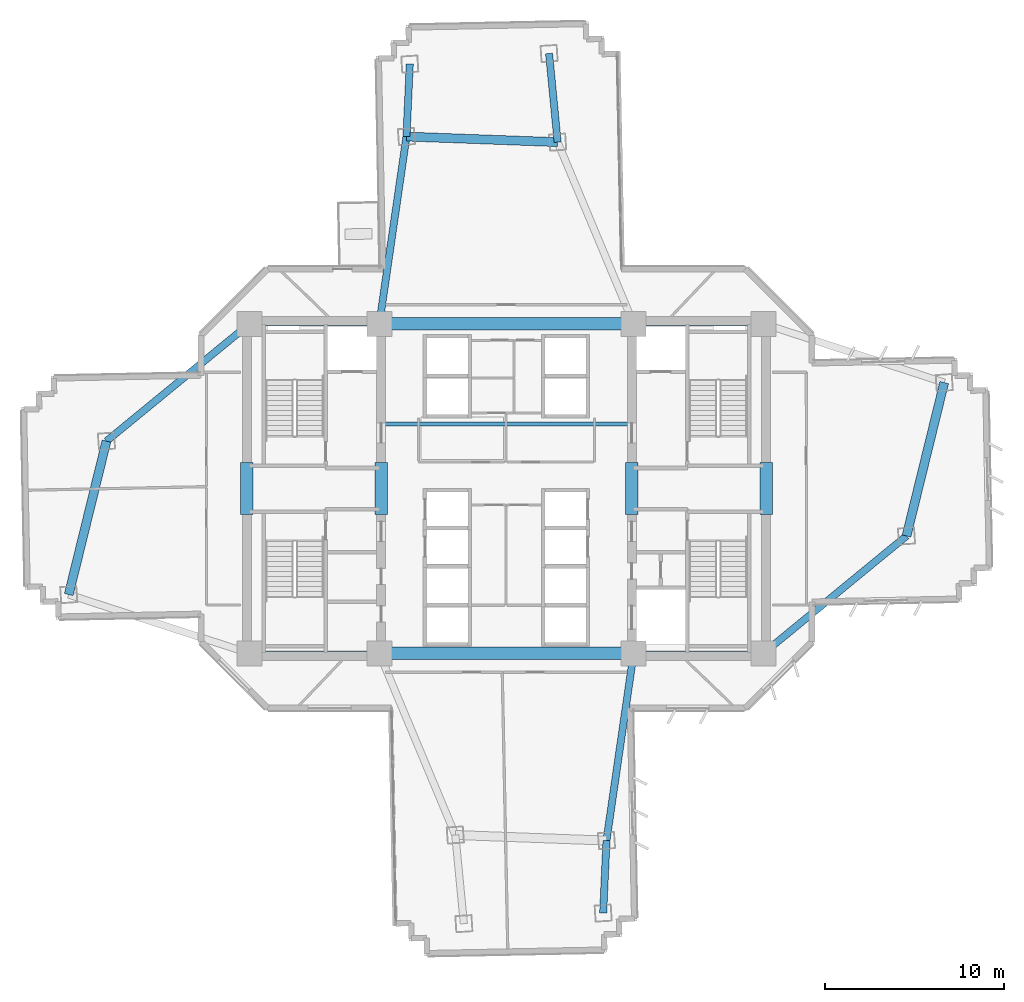
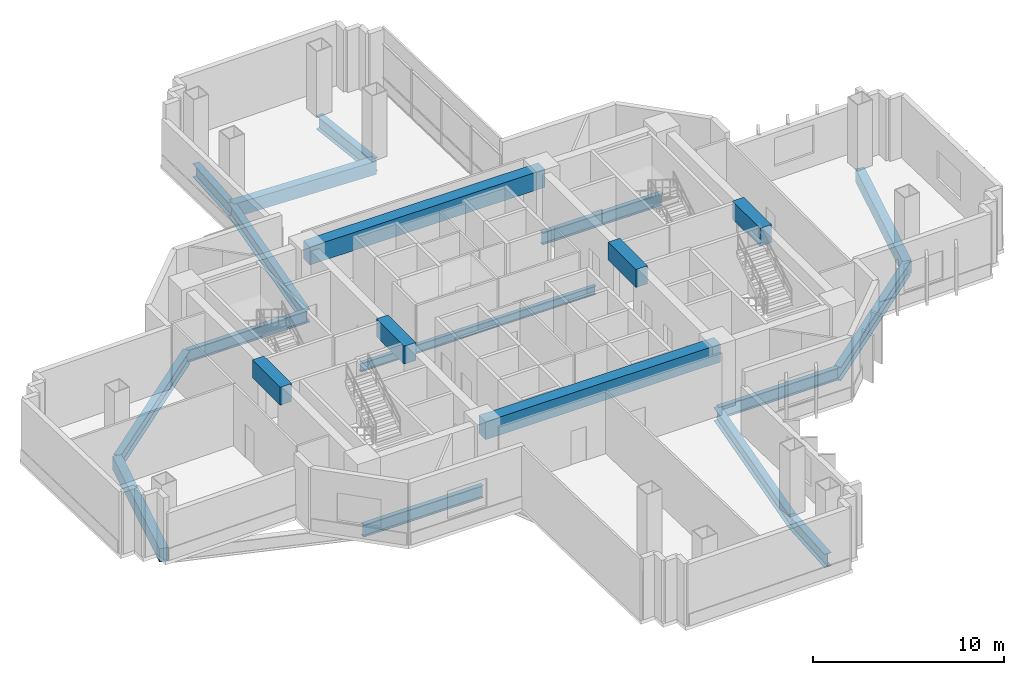
# One storey, part 3 of 15: 21 beams.
"""IFC4 building model written with IfcOpenShell, lengths in metres."""

from ifc_helpers import new_model, si_unit, direction, frame, origin, origin_2d, place, context, subcontext, project, spatial, rectangle, i_section, extrude, source, transform, mapped, material, material_profile, profile_set, type_object, element, save


model = new_model("IFC4")

# Units and contexts
model_context = context("Model", 3, precision=1e-05, world=origin(), true_north=direction((0.0, 1.0)))
body_context = subcontext(model_context, "Body", "Model", "MODEL_VIEW")
ifc_project = project(units=[si_unit("LENGTHUNIT", "METRE"), si_unit("AREAUNIT", "SQUARE_METRE"), si_unit("VOLUMEUNIT", "CUBIC_METRE"), si_unit("PLANEANGLEUNIT", "RADIAN"), si_unit("MASSUNIT", "GRAM", prefix="KILO")], contexts=[model_context])

# Site, building, storey
site_placement = place(None, origin())
site = spatial("IfcSite", under=ifc_project, at=site_placement, CompositionType="ELEMENT")
building_placement = place(site_placement, origin())
building = spatial("IfcBuilding", under=site, at=building_placement, Name="Zahravan Cultural Tower", CompositionType="ELEMENT")
storey_placement = place(building_placement, frame((0.0, 0.0, 50.10009765625)))
storey = spatial("IfcBuildingStorey", under=building, at=storey_placement, Name="L10", CompositionType="ELEMENT", Elevation=50.10009765625)

# Beams
ifc_material_1 = material(Name="Concrete C50/60", Category="concrete")
ifc_material_profile_1 = material_profile(ifc_material_1, rectangle(XDim=0.699951171875, YDim=1.14990234375, at=origin_2d()), Name="RC700X1150")
ifc_profile_set_1 = profile_set([ifc_material_profile_1], Name="Concrete C50/60")
beam_type_1 = type_object("IfcBeamType", Name="BM-LN-RC700X1150", PredefinedType="LINTEL", material=ifc_profile_set_1)
shared_shape_1 = source(origin(), body_context, "Body", "SweptSolid", [
    extrude(rectangle(XDim=0.699951171875, YDim=1.14990234375, at=origin_2d()), origin(), (0.0, 0.0, 1.0), 14.2001953125),
])
for number, where, z_axis, x_axis, name in (
    (1, (28.89990234375, 17.800048828125, 3.375), (1.0, 0.0, 0.0), (0.0, 1.0, 0.0), "L10 Beam LN-L10-S"),
    (2, (28.89990234375, 36.199951171875, 3.375), (1.0, 0.0, 0.0), (0.0, 1.0, 0.0), "L10 Beam LN-L10-N"),
):
    element("IfcBeam", number, at=place(storey_placement, frame(where, z_axis=z_axis, x_axis=x_axis)), inside=storey, type_object=beam_type_1, Name=name, PredefinedType="LINTEL", context=body_context, shape_type="MappedRepresentation", body=[
        mapped(shared_shape_1, transform((0.0, 0.0, 0.0), x_axis=(1.0, 0.0, 0.0), y_axis=(0.0, 1.0, 0.0), z_axis=(0.0, 0.0, 1.0), scale=1.0)),
    ])
shared_shape_2 = source(origin(), body_context, "Body", "SweptSolid", [
    extrude(rectangle(XDim=0.699951171875, YDim=1.14990234375, at=origin_2d()), origin(), (0.0, 0.0, 1.0), 2.89990234375),
])
for number, where, z_axis, x_axis, name in (
    (3, (21.5, 25.550048828125, 3.375), (0.0, 1.0, 0.0), (-1.0, 0.0, 0.0), "L10 Beam LN-L10-PWW"),
    (4, (29.0, 25.550048828125, 3.375), (0.0, 1.0, 0.0), (-1.0, 0.0, 0.0), "L10 Beam LN-L10-PWE"),
    (5, (43.0, 25.550048828125, 3.375), (0.0, 1.0, 0.0), (-1.0, 0.0, 0.0), "L10 Beam LN-L10-PEW"),
    (6, (50.5, 25.550048828125, 3.375), (0.0, 1.0, 0.0), (-1.0, 0.0, 0.0), "L10 Beam LN-L10-PEE"),
):
    element("IfcBeam", number, at=place(storey_placement, frame(where, z_axis=z_axis, x_axis=x_axis)), inside=storey, type_object=beam_type_1, Name=name, PredefinedType="LINTEL", context=body_context, shape_type="MappedRepresentation", body=[
        mapped(shared_shape_2, transform((0.0, 0.0, 0.0), x_axis=(1.0, 0.0, 0.0), y_axis=(0.0, 1.0, 0.0), z_axis=(0.0, 0.0, 1.0), scale=1.0)),
    ])
ifc_material_2 = material(Name="Steel ASTM A992 Grade 50", Category="steel")
ifc_material_profile_2 = material_profile(ifc_material_2, i_section(OverallWidth=0.26611328125, OverallDepth=0.780029296875, WebThickness=0.0166015625, FlangeThickness=0.030029296875, FilletRadius=0.01904296875, at=origin_2d()), Name="W30X148")
ifc_profile_set_2 = profile_set([ifc_material_profile_2], Name="Steel ASTM A992 Grade 50")
beam_type_2 = type_object("IfcBeamType", Name="BM-G-W30X148", PredefinedType="BEAM", material=ifc_profile_set_2)
shared_shape_3 = source(origin(), body_context, "Body", "SweptSolid", [
    extrude(i_section(OverallWidth=0.26611328125, OverallDepth=0.780029296875, WebThickness=0.0166015625, FlangeThickness=0.030029296875, FilletRadius=0.01904296875, at=origin_2d()), origin(), (0.0, 0.0, 1.0), 7.25),
])
for number, where, z_axis, x_axis, name in (
    (7, (21.64990234375, 17.800048828125, -0.64013671875), (1.0, 0.0, 0.0), (0.0, 1.0, 0.0), "L10 Beam BG-L10-01"),
    (8, (21.64990234375, 36.199951171875, -0.64013671875), (1.0, 0.0, 0.0), (0.0, 1.0, 0.0), "L10 Beam BG-L10-02"),
    (9, (43.10009765625, 17.800048828125, -0.64013671875), (1.0, 0.0, 0.0), (0.0, 1.0, 0.0), "L10 Beam BG-L10-04"),
    (10, (43.10009765625, 36.199951171875, -0.64013671875), (1.0, 0.0, 0.0), (0.0, 1.0, 0.0), "L10 Beam BG-L10-05"),
):
    element("IfcBeam", number, at=place(storey_placement, frame(where, z_axis=z_axis, x_axis=x_axis)), inside=storey, type_object=beam_type_2, Name=name, PredefinedType="BEAM", context=body_context, shape_type="MappedRepresentation", body=[
        mapped(shared_shape_3, transform((0.0, 0.0, 0.0), x_axis=(1.0, 0.0, 0.0), y_axis=(0.0, 1.0, 0.0), z_axis=(0.0, 0.0, 1.0), scale=1.0)),
    ])
ifc_material_profile_3 = material_profile(ifc_material_1, rectangle(XDim=0.5, YDim=0.85009765625, at=origin_2d()), Name="RC500X850")
ifc_profile_set_3 = profile_set([ifc_material_profile_3], Name="Concrete C50/60")
beam_type_3 = type_object("IfcBeamType", Name="BM-SP-RC500X850", PredefinedType="SPANDREL", material=ifc_profile_set_3)
shared_shape_4 = source(origin(), body_context, "Body", "SweptSolid", [
    extrude(rectangle(XDim=0.5, YDim=0.85009765625, at=origin_2d()), origin(), (0.0, 0.0, 1.0), 8.4482421875),
])
beam_1_placement = place(storey_placement, frame((38.857421875, 46.346435546875, -0.675048828125), z_axis=(-0.999318826256, 0.036903705643, 0.0), x_axis=(-0.036903705643, -0.999318826256, 0.0)))
element("IfcBeam", 11, at=beam_1_placement, inside=storey, type_object=beam_type_3, Name="L10 Beam SP-L10-21", PredefinedType="SPANDREL", context=body_context, shape_type="MappedRepresentation", body=[
    mapped(shared_shape_4, transform((0.0, 0.0, 0.0), x_axis=(1.0, 0.0, 0.0), y_axis=(0.0, 1.0, 0.0), z_axis=(0.0, 0.0, 1.0), scale=1.0)),
])
shared_shape_5 = source(origin(), body_context, "Body", "SweptSolid", [
    extrude(rectangle(XDim=0.5, YDim=0.85009765625, at=origin_2d()), origin(), (0.0, 0.0, 1.0), 8.8232421875),
])
for number, where, z_axis, x_axis, name in (
    (12, (58.339111328125, 24.351806640625, -0.675048828125), (0.238848860516, 0.971056755206, 0.0), (-0.971056755206, 0.238848860516, 0.0), "L10 Beam SP-L10-20"),
    (13, (13.660888671875, 29.648193359375, -0.675048828125), (-0.238848860516, -0.971056755206, 0.0), (0.971056755206, -0.238848860516, 0.0), "L10 Beam SP-L10-22"),
):
    element("IfcBeam", number, at=place(storey_placement, frame(where, z_axis=z_axis, x_axis=x_axis)), inside=storey, type_object=beam_type_3, Name=name, PredefinedType="SPANDREL", context=body_context, shape_type="MappedRepresentation", body=[
        mapped(shared_shape_5, transform((0.0, 0.0, 0.0), x_axis=(1.0, 0.0, 0.0), y_axis=(0.0, 1.0, 0.0), z_axis=(0.0, 0.0, 1.0), scale=1.0)),
    ])
ifc_material_profile_4 = material_profile(ifc_material_2, i_section(OverallWidth=0.39990234375, OverallDepth=0.862060546875, WebThickness=0.019775390625, FlangeThickness=0.032470703125, FilletRadius=0.02001953125, at=origin_2d()), Name="W33X221")
ifc_profile_set_4 = profile_set([ifc_material_profile_4], Name="Steel ASTM A992 Grade 50")
beam_type_4 = type_object("IfcBeamType", Name="BM-G-W33X221", PredefinedType="BEAM", material=ifc_profile_set_4)
shared_shape_6 = source(origin(), body_context, "Body", "SweptSolid", [
    extrude(i_section(OverallWidth=0.39990234375, OverallDepth=0.862060546875, WebThickness=0.019775390625, FlangeThickness=0.032470703125, FilletRadius=0.02001953125, at=origin_2d()), origin(), (0.0, 0.0, 1.0), 10.5673828125),
])
for number, where, z_axis, x_axis, name in (
    (14, (43.10009765625, 17.800048828125, -0.68115234375), (-0.143377913539, -0.989668011966, 0.0), (0.989668011966, -0.143377913539, 0.0), "L10 Beam BG-L10-09"),
    (15, (28.89990234375, 36.199951171875, -0.68115234375), (0.143377913539, 0.989668011966, 0.0), (-0.989668011966, 0.143377913539, 0.0), "L10 Beam BG-L10-13"),
):
    element("IfcBeam", number, at=place(storey_placement, frame(where, z_axis=z_axis, x_axis=x_axis)), inside=storey, type_object=beam_type_4, Name=name, PredefinedType="BEAM", context=body_context, shape_type="MappedRepresentation", body=[
        mapped(shared_shape_6, transform((0.0, 0.0, 0.0), x_axis=(1.0, 0.0, 0.0), y_axis=(0.0, 1.0, 0.0), z_axis=(0.0, 0.0, 1.0), scale=1.0)),
    ])
shared_shape_7 = source(origin(), body_context, "Body", "SweptSolid", [
    extrude(i_section(OverallWidth=0.39990234375, OverallDepth=0.862060546875, WebThickness=0.019775390625, FlangeThickness=0.032470703125, FilletRadius=0.02001953125, at=origin_2d()), origin(), (0.0, 0.0, 1.0), 10.33203125),
])
for number, where, z_axis, x_axis, name in (
    (16, (50.35009765625, 17.800048828125, -0.68115234375), (0.773231409473, 0.634123952713, 0.0), (-0.634123952713, 0.773231409473, 0.0), "L10 Beam BG-L10-10"),
    (17, (21.64990234375, 36.199951171875, -0.68115234375), (-0.773231409473, -0.634123952713, 0.0), (0.634123952713, -0.773231409473, 0.0), "L10 Beam BG-L10-14"),
):
    element("IfcBeam", number, at=place(storey_placement, frame(where, z_axis=z_axis, x_axis=x_axis)), inside=storey, type_object=beam_type_4, Name=name, PredefinedType="BEAM", context=body_context, shape_type="MappedRepresentation", body=[
        mapped(shared_shape_7, transform((0.0, 0.0, 0.0), x_axis=(1.0, 0.0, 0.0), y_axis=(0.0, 1.0, 0.0), z_axis=(0.0, 0.0, 1.0), scale=1.0)),
    ])
shared_shape_8 = source(origin(), body_context, "Body", "SweptSolid", [
    extrude(i_section(OverallWidth=0.39990234375, OverallDepth=0.862060546875, WebThickness=0.019775390625, FlangeThickness=0.032470703125, FilletRadius=0.02001953125, at=origin_2d()), origin(), (0.0, 0.0, 1.0), 4.973876953125),
])
beam_2_placement = place(storey_placement, frame((38.857421875, 46.346435546875, -0.68115234375), z_axis=(-0.096154779131, 0.995366394073, 0.0), x_axis=(-0.995366394073, -0.096154779131, 0.0)))
element("IfcBeam", 18, at=beam_2_placement, inside=storey, type_object=beam_type_4, Name="L10 Beam BG-L10-15", PredefinedType="BEAM", context=body_context, shape_type="MappedRepresentation", body=[
    mapped(shared_shape_8, transform((0.0, 0.0, 0.0), x_axis=(1.0, 0.0, 0.0), y_axis=(0.0, 1.0, 0.0), z_axis=(0.0, 0.0, 1.0), scale=1.0)),
])
shared_shape_9 = source(origin(), body_context, "Body", "SweptSolid", [
    extrude(i_section(OverallWidth=0.39990234375, OverallDepth=0.862060546875, WebThickness=0.019775390625, FlangeThickness=0.032470703125, FilletRadius=0.02001953125, at=origin_2d()), origin(), (0.0, 0.0, 1.0), 4.0537109375),
])
for number, where, z_axis, x_axis, name in (
    (19, (30.4150390625, 46.658203125, -0.68115234375), (0.045770994677, 0.998951958828, 0.0), (-0.998951958828, 0.045770994677, 0.0), "L10 Beam BG-L10-16"),
    (20, (41.5849609375, 7.341796875, -0.68115234375), (-0.045770994677, -0.998951958828, 0.0), (0.998951958828, -0.045770994677, 0.0), "L10 Beam BG-L10-18"),
):
    element("IfcBeam", number, at=place(storey_placement, frame(where, z_axis=z_axis, x_axis=x_axis)), inside=storey, type_object=beam_type_4, Name=name, PredefinedType="BEAM", context=body_context, shape_type="MappedRepresentation", body=[
        mapped(shared_shape_9, transform((0.0, 0.0, 0.0), x_axis=(1.0, 0.0, 0.0), y_axis=(0.0, 1.0, 0.0), z_axis=(0.0, 0.0, 1.0), scale=1.0)),
    ])
ifc_material_profile_5 = material_profile(ifc_material_2, i_section(OverallWidth=0.214111328125, OverallDepth=0.549072265625, WebThickness=0.0146484375, FlangeThickness=0.023681640625, FilletRadius=0.013916015625, at=origin_2d()), Name="W21X93")
ifc_profile_set_5 = profile_set([ifc_material_profile_5], Name="Steel ASTM A992 Grade 50")
beam_type_5 = type_object("IfcBeamType", Name="BM-J-W21X93", PredefinedType="JOIST", material=ifc_profile_set_5)
shared_shape_10 = source(origin(), body_context, "Body", "SweptSolid", [
    extrude(i_section(OverallWidth=0.214111328125, OverallDepth=0.549072265625, WebThickness=0.0146484375, FlangeThickness=0.023681640625, FilletRadius=0.013916015625, at=origin_2d()), origin(), (0.0, 0.0, 1.0), 14.2001953125),
])
beam_3_placement = place(storey_placement, frame((28.89990234375, 30.60009765625, -0.524658203125), z_axis=(1.0, 0.0, 0.0), x_axis=(0.0, 1.0, 0.0)))
element("IfcBeam", 21, at=beam_3_placement, inside=storey, type_object=beam_type_5, Name="L10 Beam BJ-L10-23", PredefinedType="JOIST", context=body_context, shape_type="MappedRepresentation", body=[
    mapped(shared_shape_10, transform((0.0, 0.0, 0.0), x_axis=(1.0, 0.0, 0.0), y_axis=(0.0, 1.0, 0.0), z_axis=(0.0, 0.0, 1.0), scale=1.0)),
])

save(model, "model.ifc")
